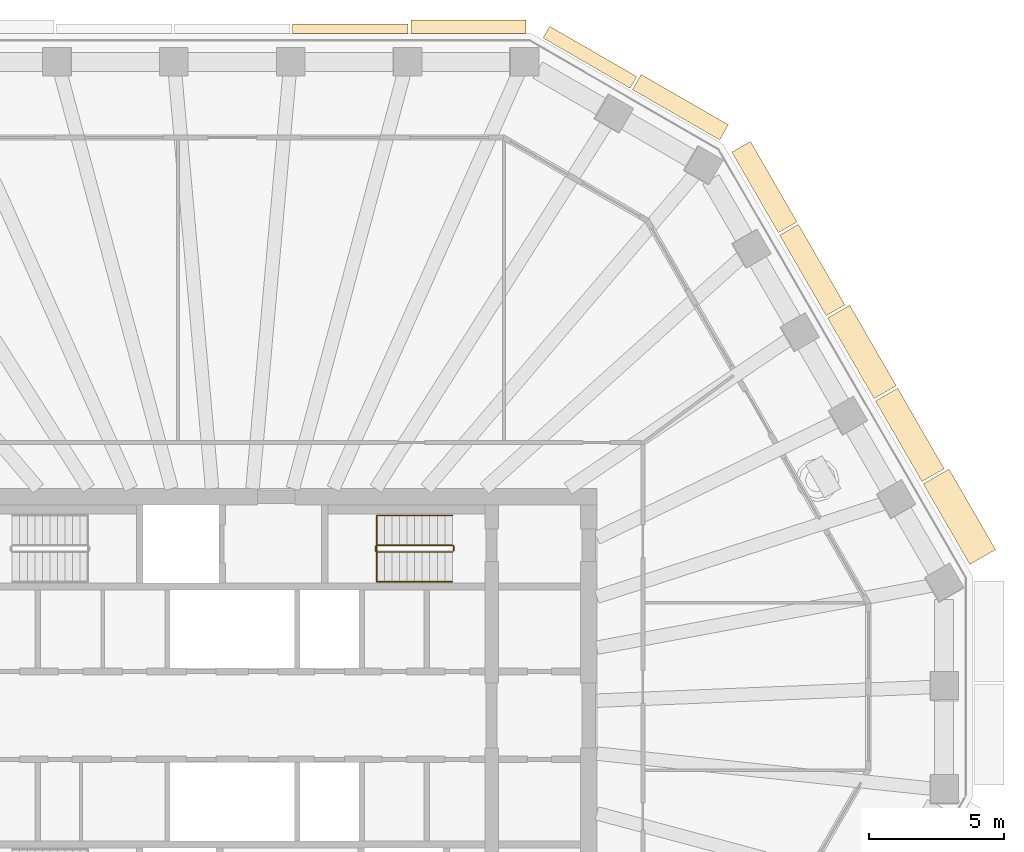
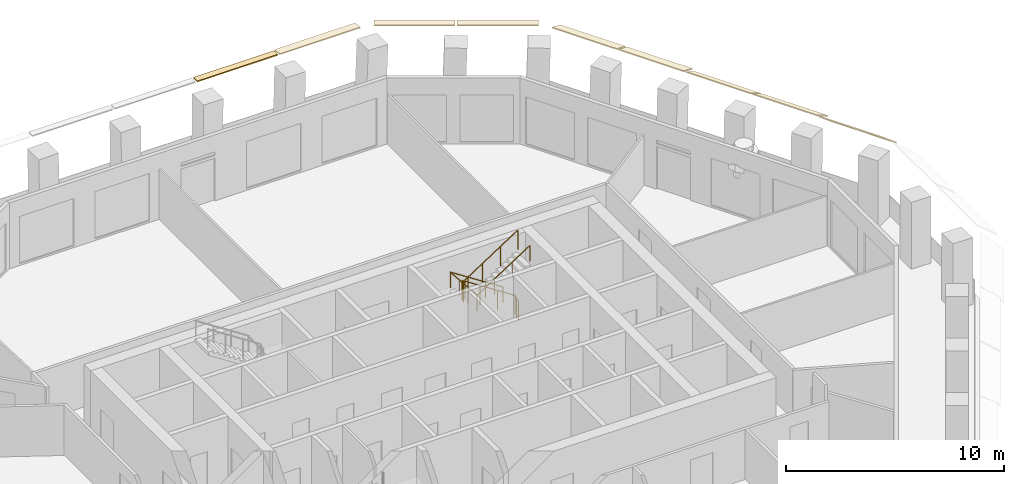
# One storey, part 10 of 12: 9 coverings, 2 railings.
"""IFC4 building model written with IfcOpenShell, lengths in metres."""

from ifc_helpers import new_model, si_unit, direction, frame, origin, origin_2d, place, context, subcontext, project, spatial, polyline, circle, outline, extrude, material, layer, layer_set, type_object, element, save


model = new_model("IFC4")

# Units and contexts
model_context = context("Model", 3, precision=1e-05, world=origin(), true_north=direction((0.0, 1.0)))
body_context = subcontext(model_context, "Body", "Model", "MODEL_VIEW")
ifc_project = project(units=[si_unit("LENGTHUNIT", "METRE"), si_unit("AREAUNIT", "SQUARE_METRE"), si_unit("VOLUMEUNIT", "CUBIC_METRE"), si_unit("PLANEANGLEUNIT", "RADIAN"), si_unit("MASSUNIT", "GRAM", prefix="KILO")], contexts=[model_context])

# Site, building, storey
site_placement = place(None, origin())
site = spatial("IfcSite", under=ifc_project, at=site_placement, CompositionType="ELEMENT")
building_placement = place(site_placement, origin())
building = spatial("IfcBuilding", under=site, at=building_placement, Name="Frailejon Research Tower", CompositionType="ELEMENT")
storey_placement = place(building_placement, frame((0.0, 0.0, 245.39990234375)))
storey = spatial("IfcBuildingStorey", under=building, at=storey_placement, Name="L53", CompositionType="ELEMENT", Elevation=245.39990234375)

# Coverings
ifc_material_1 = material(Name="Precast concrete C50/60", Category="concrete")
ifc_layer_1 = layer(ifc_material_1, 0.06005859375)
ifc_layer_set_1 = layer_set([ifc_layer_1], Name="Brim blade depth 1100")
covering_type_1 = type_object("IfcCoveringType", Name="Brim blade depth 1100", PredefinedType="CLADDING", material=ifc_layer_set_1)
covering_1_placement = place(storey_placement, frame((25.58544921875, 8.572998046875, 3.85009765625), z_axis=(0.50000973004, -0.86601978607, 0.0), x_axis=(0.86601978607, 0.50000973004, 0.0)))
element("IfcCovering", 1, at=covering_1_placement, inside=storey, type_object=covering_type_1, Name="Brim blade L53", PredefinedType="CLADDING", context=body_context, shape_type="SweptSolid", body=[
    extrude(outline(polyline([(0.0, -0.078369140625), (1.10009765625, -1.001220703125), (1.10009765625, -0.923095703125), (0.0, 0.0), (0.0, -0.078369140625)])), origin(), (0.0, 0.0, 1.0), 3.445556640625),
])
ifc_material_2 = material(Name="Precast concrete C50/60", Category="concrete")
ifc_layer_2 = layer(ifc_material_2, 0.06005859375)
ifc_layer_set_2 = layer_set([ifc_layer_2], Name="Brim blade depth 350")
covering_type_2 = type_object("IfcCoveringType", Name="Brim blade depth 350", PredefinedType="CLADDING", material=ifc_layer_set_2)
covering_2_placement = place(storey_placement, frame((2.236328125, 25.25, 3.85009765625), z_axis=(1.0, 0.0, 0.0), x_axis=(0.0, 1.0, 0.0)))
element("IfcCovering", 2, at=covering_2_placement, inside=storey, type_object=covering_type_2, Name="Brim blade L53", PredefinedType="CLADDING", context=body_context, shape_type="SweptSolid", body=[
    extrude(outline(polyline([(0.0, -0.06005859375), (0.35009765625, -0.06005859375), (0.35009765625, 0.0), (0.0, 0.0), (0.0, -0.06005859375)])), origin(), (0.0, 0.0, 1.0), 4.27294921875),
])
ifc_material_3 = material(Name="Precast concrete C50/60", Category="concrete")
ifc_layer_3 = layer(ifc_material_3, 0.06005859375)
ifc_layer_set_3 = layer_set([ifc_layer_3], Name="Brim blade depth 500")
covering_type_3 = type_object("IfcCoveringType", Name="Brim blade depth 500", PredefinedType="CLADDING", material=ifc_layer_set_3)
covering_3_placement = place(storey_placement, frame((11.50048828125, 25.084228515625, 3.85009765625), z_axis=(0.866018477835, -0.500011995905, 0.0), x_axis=(0.500011995905, 0.866018477835, 0.0)))
element("IfcCovering", 3, at=covering_3_placement, inside=storey, type_object=covering_type_3, Name="Brim blade L53", PredefinedType="CLADDING", context=body_context, shape_type="SweptSolid", body=[
    extrude(outline(polyline([(0.0, -0.060546875), (0.5, -0.130859375), (0.5, -0.0703125), (0.0, 0.0), (0.0, -0.060546875)])), origin(), (0.0, 0.0, 1.0), 3.726806640625),
])
covering_4_placement = place(storey_placement, frame((6.609375, 25.25, 3.85009765625), z_axis=(1.0, 0.0, 0.0), x_axis=(0.0, 1.0, 0.0)))
element("IfcCovering", 4, at=covering_4_placement, inside=storey, type_object=covering_type_3, Name="Brim blade L53", PredefinedType="CLADDING", context=body_context, shape_type="SweptSolid", body=[
    extrude(outline(polyline([(0.0, -0.060546875), (0.5, -0.130859375), (0.5, -0.0703125), (0.0, 0.0), (0.0, -0.060546875)])), origin(), (0.0, 0.0, 1.0), 4.272705078125),
])
ifc_material_4 = material(Name="Precast concrete C50/60", Category="concrete")
ifc_layer_4 = layer(ifc_material_4, 0.06005859375)
ifc_layer_set_4 = layer_set([ifc_layer_4], Name="Brim blade depth 650")
covering_type_4 = type_object("IfcCoveringType", Name="Brim blade depth 650", PredefinedType="CLADDING", material=ifc_layer_set_4)
covering_5_placement = place(storey_placement, frame((14.814453125, 23.1708984375, 3.85009765625), z_axis=(0.866036325866, -0.499981081923, 0.0), x_axis=(0.499981081923, 0.866036325866, 0.0)))
element("IfcCovering", 5, at=covering_5_placement, inside=storey, type_object=covering_type_4, Name="Brim blade L53", PredefinedType="CLADDING", context=body_context, shape_type="SweptSolid", body=[
    extrude(outline(polyline([(0.0, -0.0625), (0.64990234375, -0.248779296875), (0.64990234375, -0.186279296875), (0.0, 0.0), (0.0, -0.0625)])), origin(), (0.0, 0.0, 1.0), 3.726806640625),
])
ifc_material_5 = material(Name="Precast concrete C50/60", Category="concrete")
ifc_layer_5 = layer(ifc_material_5, 0.06005859375)
ifc_layer_set_5 = layer_set([ifc_layer_5], Name="Brim blade depth 800")
covering_type_5 = type_object("IfcCoveringType", Name="Brim blade depth 800", PredefinedType="CLADDING", material=ifc_layer_set_5)
for number, where, z_axis, x_axis, name in (
    (6, (20.26708984375, 17.784423828125, 3.85009765625), (0.50000973004, -0.86601978607, 0.0), (0.86601978607, 0.50000973004, 0.0), "Brim blade L53"),
    (7, (18.494384765625, 20.85498046875, 3.85009765625), (0.499988576894, -0.866031998817, 0.0), (0.866031998817, 0.499988576894, 0.0), "Brim blade L53"),
):
    element("IfcCovering", number, at=place(storey_placement, frame(where, z_axis=z_axis, x_axis=x_axis)), inside=storey, type_object=covering_type_5, Name=name, PredefinedType="CLADDING", context=body_context, shape_type="SweptSolid", body=[
        extrude(outline(polyline([(0.0, -0.065673828125), (0.800048828125, -0.421875), (0.800048828125, -0.356201171875), (0.0, 0.0), (0.0, -0.065673828125)])), origin(), (0.0, 0.0, 1.0), 3.445556640625),
    ])
ifc_material_6 = material(Name="Precast concrete C50/60", Category="concrete")
ifc_layer_6 = layer(ifc_material_6, 0.06005859375)
ifc_layer_set_6 = layer_set([ifc_layer_6], Name="Brim blade depth 950")
covering_type_6 = type_object("IfcCoveringType", Name="Brim blade depth 950", PredefinedType="CLADDING", material=ifc_layer_set_6)
covering_6_placement = place(storey_placement, frame((23.812744140625, 11.6435546875, 3.85009765625), z_axis=(0.499988576894, -0.866031998817, 0.0), x_axis=(0.866031998817, 0.499988576894, 0.0)))
element("IfcCovering", 8, at=covering_6_placement, inside=storey, type_object=covering_type_6, Name="Brim blade L53", PredefinedType="CLADDING", context=body_context, shape_type="SweptSolid", body=[
    extrude(outline(polyline([(0.0, -0.07080078125), (0.949951171875, -0.664306640625), (0.949951171875, -0.593505859375), (0.0, 0.0), (0.0, -0.07080078125)])), origin(), (0.0, 0.0, 1.0), 3.445556640625),
])
covering_7_placement = place(storey_placement, frame((22.0400390625, 14.714111328125, 3.85009765625), z_axis=(0.50000078986, -0.866024947758, 0.0), x_axis=(0.866024947758, 0.50000078986, 0.0)))
element("IfcCovering", 9, at=covering_7_placement, inside=storey, type_object=covering_type_6, Name="Brim blade L53", PredefinedType="CLADDING", context=body_context, shape_type="SweptSolid", body=[
    extrude(outline(polyline([(0.0, -0.07080078125), (0.949951171875, -0.664306640625), (0.949951171875, -0.593505859375), (0.0, 0.0), (0.0, -0.07080078125)])), origin(), (0.0, 0.0, 1.0), 3.4453125),
])

# Railings
ifc_material_7 = material(Name="Stainless steel", Category="steel")
railing_type_1 = type_object("IfcRailingType", Name="Stair guard 1100", PredefinedType="GUARDRAIL", material=ifc_material_7)
railing_1_placement = place(storey_placement, frame((8.199951171875, 6.10009765625, 0.0)))
element("IfcRailing", 10, at=railing_1_placement, inside=storey, type_object=railing_type_1, Name="L53 ST3 stair guard 1", PredefinedType="GUARDRAIL", context=body_context, shape_type="SweptSolid", body=[
    extrude(circle(Radius=0.02392578125, at=origin_2d()), frame((0.0, 0.0, 1.076171875), z_axis=(0.0, 1.0, 0.0), x_axis=(-1.0, 0.0, 0.0)), (0.0, 0.0, 1.0), 0.14990234375),
    extrude(circle(Radius=0.02392578125, at=origin_2d()), frame((0.0, 0.14990234375, 1.076171875), z_axis=(-0.256435381639, 0.256435381639, 0.931923704005), x_axis=(-0.707106781187, -0.707106781187, 0.0)), (0.0, 0.0, 1.0), 0.195068359375),
    extrude(circle(Radius=0.02392578125, at=origin_2d()), frame((-0.050048828125, 0.199951171875, 1.2578125), z_axis=(-0.83868413941, 0.0, 0.544618136222), x_axis=(0.0, -1.0, 0.0)), (0.0, 0.0, 1.0), 3.33837890625),
    extrude(circle(Radius=0.02392578125, at=origin_2d()), frame((-2.849853515625, 0.199951171875, 3.076171875), z_axis=(-0.707106781187, -0.707106781187, 0.0), x_axis=(0.707106781187, -0.707106781187, 0.0)), (0.0, 0.0, 1.0), 0.07080078125),
    extrude(circle(Radius=0.02392578125, at=origin_2d()), frame((-2.89990234375, 0.14990234375, 3.076171875), z_axis=(0.0, -1.0, 0.0), x_axis=(1.0, 0.0, 0.0)), (0.0, 0.0, 1.0), 0.14990234375),
    extrude(circle(Radius=0.02392578125, at=origin_2d()), frame((-2.89990234375, 0.0, 3.076171875), z_axis=(0.256435381639, -0.256435381639, 0.931923704005), x_axis=(0.707106781187, 0.707106781187, 0.0)), (0.0, 0.0, 1.0), 0.195068359375),
    extrude(circle(Radius=0.02392578125, at=origin_2d()), frame((-2.849853515625, -0.050048828125, 3.2578125), z_axis=(0.83868413941, 0.0, 0.544618136222), x_axis=(0.0, 1.0, 0.0)), (0.0, 0.0, 1.0), 3.33837890625),
    extrude(circle(Radius=0.02099609375, at=origin_2d()), origin(), (0.0, 0.0, 1.0), 1.052001953125),
    extrude(circle(Radius=0.02099609375, at=origin_2d()), frame((0.0, 0.14990234375, 0.0)), (0.0, 0.0, 1.0), 1.052001953125),
    extrude(circle(Radius=0.02099609375, at=origin_2d()), frame((-0.050048828125, 0.199951171875, 0.181884765625)), (0.0, 0.0, 1.0), 1.052001953125),
    extrude(circle(Radius=0.02099609375, at=origin_2d()), frame((-0.9833984375, 0.199951171875, 0.787841796875)), (0.0, 0.0, 1.0), 1.052001953125),
    extrude(circle(Radius=0.02099609375, at=origin_2d()), frame((-1.91650390625, 0.199951171875, 1.39404296875)), (0.0, 0.0, 1.0), 1.052001953125),
    extrude(circle(Radius=0.02099609375, at=origin_2d()), frame((-2.849853515625, 0.199951171875, 2.0)), (0.0, 0.0, 1.0), 1.052001953125),
    extrude(circle(Radius=0.02099609375, at=origin_2d()), frame((-2.89990234375, 0.14990234375, 2.0)), (0.0, 0.0, 1.0), 1.052001953125),
    extrude(circle(Radius=0.02099609375, at=origin_2d()), frame((-2.89990234375, 0.0, 2.0)), (0.0, 0.0, 1.0), 1.052001953125),
    extrude(circle(Radius=0.02099609375, at=origin_2d()), frame((-2.849853515625, -0.050048828125, 2.181884765625)), (0.0, 0.0, 1.0), 1.052001953125),
    extrude(circle(Radius=0.02099609375, at=origin_2d()), frame((-1.91650390625, -0.050048828125, 2.787841796875)), (0.0, 0.0, 1.0), 1.052001953125),
    extrude(circle(Radius=0.02099609375, at=origin_2d()), frame((-0.9833984375, -0.050048828125, 3.39404296875)), (0.0, 0.0, 1.0), 1.052001953125),
    extrude(circle(Radius=0.02099609375, at=origin_2d()), frame((-0.050048828125, -0.050048828125, 4.0)), (0.0, 0.0, 1.0), 1.052001953125),
])
ifc_material_8 = material(Name="Stainless steel", Category="steel")
railing_type_2 = type_object("IfcRailingType", Name="Stair handrail 900", PredefinedType="HANDRAIL", material=ifc_material_8)
railing_2_placement = place(storey_placement, frame((8.14990234375, 7.39990234375, 0.181884765625)))
element("IfcRailing", 11, at=railing_2_placement, inside=storey, type_object=railing_type_2, Name="L53 ST3 stair handrail 1", PredefinedType="HANDRAIL", context=body_context, shape_type="SweptSolid", body=[
    extrude(circle(Radius=0.02392578125, at=origin_2d()), frame((0.0, 0.0, 0.8759765625), z_axis=(-0.83868413941, 0.0, 0.544618136222), x_axis=(0.0, -1.0, 0.0)), (0.0, 0.0, 1.0), 3.33837890625),
    extrude(circle(Radius=0.02392578125, at=origin_2d()), frame((-2.7998046875, 0.0, 2.69384765625), z_axis=(0.0, -0.997255538948, 0.074036410216), x_axis=(1.0, 0.0, 0.0)), (0.0, 0.0, 1.0), 2.456787109375),
    extrude(circle(Radius=0.02392578125, at=origin_2d()), frame((-2.7998046875, -2.449951171875, 2.8759765625), z_axis=(0.83868413941, 0.0, 0.544618136222), x_axis=(0.0, 1.0, 0.0)), (0.0, 0.0, 1.0), 3.33837890625),
    extrude(circle(Radius=0.02099609375, at=origin_2d()), origin(), (0.0, 0.0, 1.0), 0.851806640625),
    extrude(circle(Radius=0.02099609375, at=origin_2d()), frame((-0.933349609375, 0.0, 0.60595703125)), (0.0, 0.0, 1.0), 0.851806640625),
    extrude(circle(Radius=0.02099609375, at=origin_2d()), frame((-1.866455078125, 0.0, 1.212158203125)), (0.0, 0.0, 1.0), 0.851806640625),
    extrude(circle(Radius=0.02099609375, at=origin_2d()), frame((-2.7998046875, 0.0, 1.818115234375)), (0.0, 0.0, 1.0), 0.851806640625),
    extrude(circle(Radius=0.02099609375, at=origin_2d()), frame((-2.7998046875, -0.816650390625, 1.878662109375)), (0.0, 0.0, 1.0), 0.851806640625),
    extrude(circle(Radius=0.02099609375, at=origin_2d()), frame((-2.7998046875, -1.63330078125, 1.939453125)), (0.0, 0.0, 1.0), 0.851806640625),
    extrude(circle(Radius=0.02099609375, at=origin_2d()), frame((-2.7998046875, -2.449951171875, 2.0)), (0.0, 0.0, 1.0), 0.851806640625),
    extrude(circle(Radius=0.02099609375, at=origin_2d()), frame((-1.866455078125, -2.449951171875, 2.60595703125)), (0.0, 0.0, 1.0), 0.851806640625),
    extrude(circle(Radius=0.02099609375, at=origin_2d()), frame((-0.933349609375, -2.449951171875, 3.212158203125)), (0.0, 0.0, 1.0), 0.851806640625),
    extrude(circle(Radius=0.02099609375, at=origin_2d()), frame((0.0, -2.449951171875, 3.818115234375)), (0.0, 0.0, 1.0), 0.851806640625),
])

save(model, "model.ifc")
